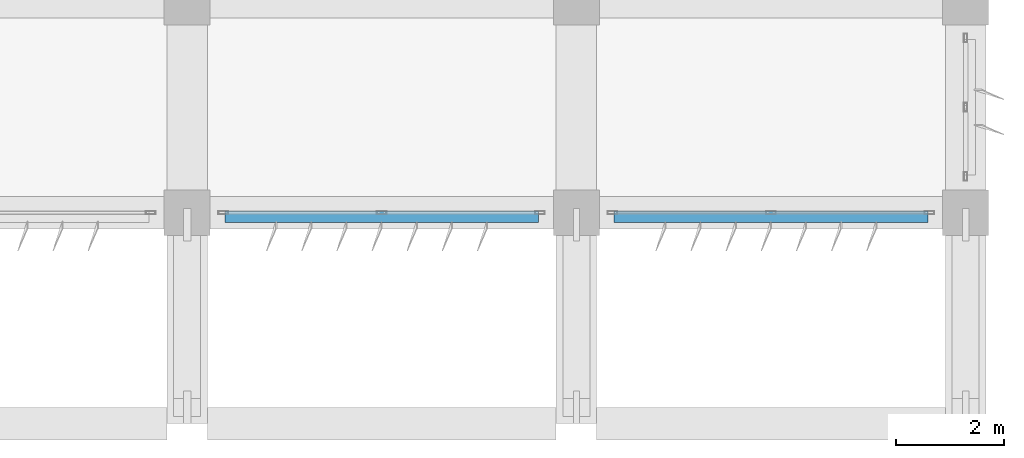
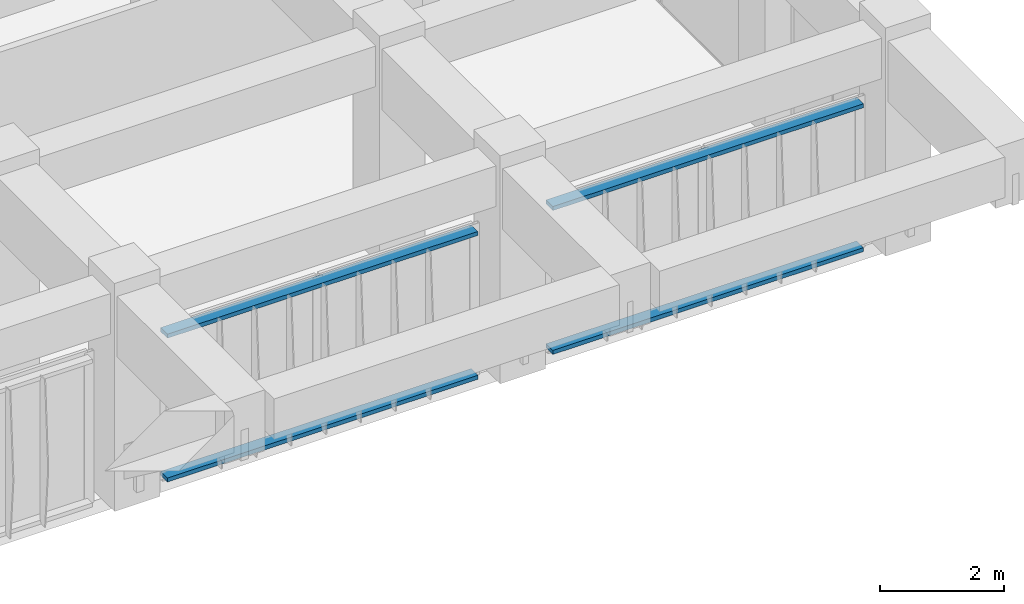
# One storey, part 43 of 56: 4 discrete accessories.
"""IFC4 building model written with IfcOpenShell, lengths in metres."""

from ifc_helpers import new_model, si_unit, direction, frame, origin, origin_2d, place, context, subcontext, project, spatial, rectangle, extrude, material, type_object, element, save


model = new_model("IFC4")

# Units and contexts
model_context = context("Model", 3, precision=1e-05, world=origin(), true_north=direction((0.0, 1.0)))
body_context = subcontext(model_context, "Body", "Model", "MODEL_VIEW")
ifc_project = project(units=[si_unit("LENGTHUNIT", "METRE"), si_unit("AREAUNIT", "SQUARE_METRE"), si_unit("VOLUMEUNIT", "CUBIC_METRE"), si_unit("PLANEANGLEUNIT", "RADIAN"), si_unit("MASSUNIT", "GRAM", prefix="KILO")], contexts=[model_context])

# Site, building, storey
site_placement = place(None, origin())
site = spatial("IfcSite", under=ifc_project, at=site_placement, CompositionType="ELEMENT")
building_placement = place(site_placement, origin())
building = spatial("IfcBuilding", under=site, at=building_placement, Name="Kazehaya Institute of Natural Sciences", CompositionType="ELEMENT")
storey_placement = place(building_placement, frame((0.0, 0.0, 24.300048828125)))
storey = spatial("IfcBuildingStorey", under=building, at=storey_placement, Name="L05", CompositionType="ELEMENT", Elevation=24.300048828125)

# Discrete accessories
ifc_material = material(Name="Aluminium alloy A6063S-T5", Category="aluminium")
discrete_accessory_type = type_object("IfcDiscreteAccessoryType", Name="ACC-BRK-01", PredefinedType="BRACKET", material=ifc_material)
for number, where, z_axis, x_axis, name in (
    (1, (115.800048828125, 10.02490234375, 0.039794921875), (0.0, 0.0, 1.0), (-1.0, 0.0, 0.0), "L05 fin support outrigger rail 1"),
    (2, (115.800048828125, 10.02490234375, 2.8798828125), (0.0, 0.0, 1.0), (-1.0, 0.0, 0.0), "L05 fin support outrigger rail 2"),
    (3, (108.60009765625, 10.02490234375, 0.039794921875), (0.0, 0.0, 1.0), (-1.0, 0.0, 0.0), "L05 fin support outrigger rail 1"),
    (4, (108.60009765625, 10.02490234375, 2.8798828125), (0.0, 0.0, 1.0), (-1.0, 0.0, 0.0), "L05 fin support outrigger rail 2"),
):
    element("IfcDiscreteAccessory", number, at=place(storey_placement, frame(where, z_axis=z_axis, x_axis=x_axis)), inside=storey, type_object=discrete_accessory_type, Name=name, PredefinedType="BRACKET", context=body_context, shape_type="SweptSolid", body=[
        extrude(rectangle(XDim=5.800048828125, YDim=0.219970703125, at=origin_2d()), origin(), (0.0, 0.0, 1.0), 0.080078125),
    ])

save(model, "model.ifc")
